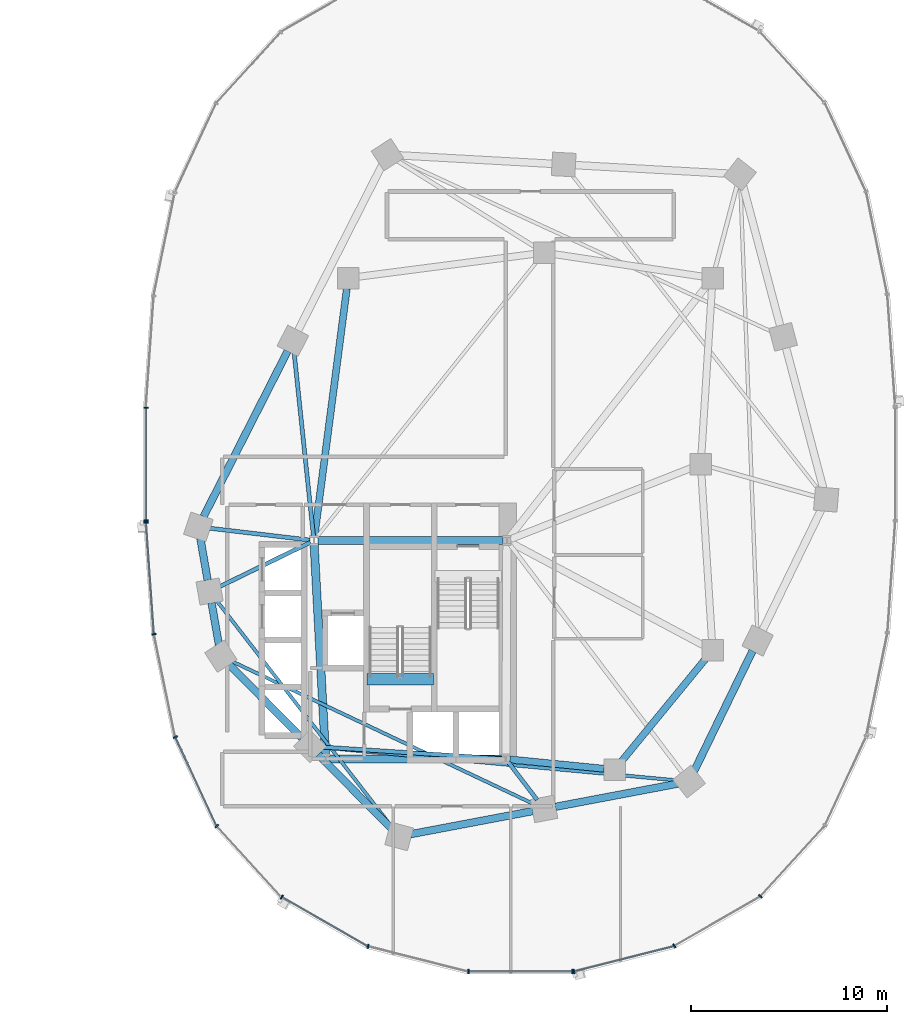
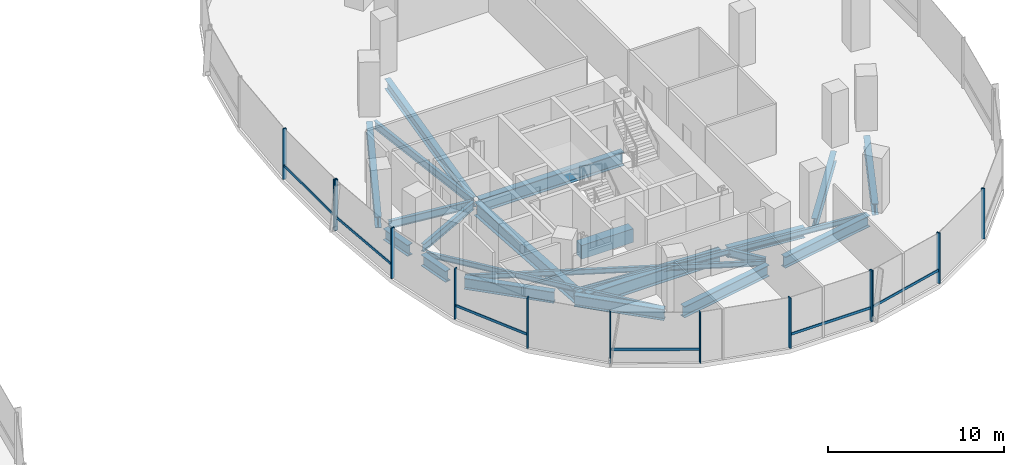
# One storey, part 5 of 21: 23 beams, 19 members, 3 elements without a shape of their own.
"""IFC4 building model written with IfcOpenShell, lengths in metres."""

from ifc_helpers import new_model, si_unit, direction, frame, origin, origin_2d, place, context, subcontext, project, spatial, rectangle, i_section, extrude, material, material_profile, profile_set, type_object, element, aggregate, save


model = new_model("IFC4")

# Units and contexts
model_context = context("Model", 3, precision=1e-05, world=origin(), true_north=direction((0.0, 1.0)))
body_context = subcontext(model_context, "Body", "Model", "MODEL_VIEW")
ifc_project = project(units=[si_unit("LENGTHUNIT", "METRE"), si_unit("AREAUNIT", "SQUARE_METRE"), si_unit("VOLUMEUNIT", "CUBIC_METRE"), si_unit("PLANEANGLEUNIT", "RADIAN"), si_unit("MASSUNIT", "GRAM", prefix="KILO"), si_unit("THERMODYNAMICTEMPERATUREUNIT", "KELVIN"), si_unit("POWERUNIT", "WATT")], contexts=[model_context])

# Site, building, storey
site_placement = place(None, origin())
site = spatial("IfcSite", under=ifc_project, at=site_placement, CompositionType="ELEMENT")
building_placement = place(site_placement, origin())
building = spatial("IfcBuilding", under=site, at=building_placement, Name="Cundina Bronze Exchange", CompositionType="ELEMENT")
storey_placement = place(building_placement, frame((0.0, 0.0, 69.60009765625)))
storey = spatial("IfcBuildingStorey", under=building, at=storey_placement, Name="L17", CompositionType="ELEMENT", Elevation=69.60009765625)

# Beams
ifc_material_1 = material(Name="Concrete C60/75", Category="concrete")
ifc_material_profile_1 = material_profile(ifc_material_1, rectangle(XDim=0.60009765625, YDim=0.949951171875, at=origin_2d()), Name="RC600X950", Category="concrete")
ifc_profile_set_1 = profile_set([ifc_material_profile_1], Name="Concrete C60/75")
beam_type_1 = type_object("IfcBeamType", Name="BM-COUP-RC950", PredefinedType="LINTEL", material=ifc_profile_set_1)
beam_1_placement = place(storey_placement, frame((24.159912109375, -10.97998046875, -0.47509765625), z_axis=(1.0, 0.0, 0.0), x_axis=(0.0, 1.0, 0.0)))
element("IfcBeam", 1, at=beam_1_placement, inside=storey, type_object=beam_type_1, Name="L17 Stair E2 Landing Header Beam", PredefinedType="LINTEL", context=body_context, shape_type="SweptSolid", body=[
    extrude(rectangle(XDim=0.60009765625, YDim=0.949951171875, at=origin_2d()), origin(), (0.0, 0.0, 1.0), 3.400146484375),
])
ifc_material_2 = material(Name="Steel ASTM A992 Grade 50", Category="steel")
ifc_material_profile_2 = material_profile(ifc_material_2, i_section(OverallWidth=0.2099609375, OverallDepth=0.532958984375, WebThickness=0.01025390625, FlangeThickness=0.015625, FilletRadius=0.013916015625, at=origin_2d()), Name="W21X62", Category="steel")
ifc_profile_set_2 = profile_set([ifc_material_profile_2], Name="Steel ASTM A992 Grade 50")
beam_type_2 = type_object("IfcBeamType", Name="BM-FLR-W21B", PredefinedType="BEAM", material=ifc_profile_set_2)
beam_2_placement = place(storey_placement, frame((21.247314453125, -3.8759765625, -0.566650390625), z_axis=(-0.993035236117, 0.117817739878, 0.0), x_axis=(-0.117817739878, -0.993035236117, 0.0)))
element("IfcBeam", 2, at=beam_2_placement, inside=storey, type_object=beam_type_2, Name="L17 Leg E Chordal Floor Beam 00", PredefinedType="BEAM", context=body_context, shape_type="SweptSolid", body=[
    extrude(i_section(OverallWidth=0.2099609375, OverallDepth=0.532958984375, WebThickness=0.01025390625, FlangeThickness=0.015625, FilletRadius=0.013916015625, at=origin_2d()), origin(), (0.0, 0.0, 1.0), 5.1494140625),
])
beam_3_placement = place(storey_placement, frame((21.2666015625, -3.989501953125, -0.566650390625), z_axis=(-0.898610249448, -0.438747785849, 0.0), x_axis=(0.438747785849, -0.898610249448, 0.0)))
element("IfcBeam", 3, at=beam_3_placement, inside=storey, type_object=beam_type_2, Name="L17 Leg E Chordal Floor Beam 01", PredefinedType="BEAM", context=body_context, shape_type="SweptSolid", body=[
    extrude(i_section(OverallWidth=0.2099609375, OverallDepth=0.532958984375, WebThickness=0.01025390625, FlangeThickness=0.015625, FilletRadius=0.013916015625, at=origin_2d()), origin(), (0.0, 0.0, 1.0), 5.1337890625),
])
beam_4_placement = place(storey_placement, frame((31.04638671875, -15.036865234375, -0.566650390625), z_axis=(-0.99789233798, 0.064891307594, 0.0), x_axis=(-0.064891307594, -0.99789233798, 0.0)))
element("IfcBeam", 4, at=beam_4_placement, inside=storey, type_object=beam_type_2, Name="L17 Leg E Chordal Floor Beam 03", PredefinedType="BEAM", context=body_context, shape_type="SweptSolid", body=[
    extrude(i_section(OverallWidth=0.2099609375, OverallDepth=0.532958984375, WebThickness=0.01025390625, FlangeThickness=0.015625, FilletRadius=0.013916015625, at=origin_2d()), origin(), (0.0, 0.0, 1.0), 9.22900390625),
])
beam_5_placement = place(storey_placement, frame((31.373779296875, -15.2119140625, -0.566650390625), z_axis=(0.607468844289, -0.794343504548, 0.0), x_axis=(0.794343504548, 0.607468844289, 0.0)))
element("IfcBeam", 5, at=beam_5_placement, inside=storey, type_object=beam_type_2, Name="L17 Leg E Chordal Floor Beam 05", PredefinedType="BEAM", context=body_context, shape_type="SweptSolid", body=[
    extrude(i_section(OverallWidth=0.2099609375, OverallDepth=0.532958984375, WebThickness=0.01025390625, FlangeThickness=0.015625, FilletRadius=0.013916015625, at=origin_2d()), origin(), (0.0, 0.0, 1.0), 2.418212890625),
])
beam_6_placement = place(storey_placement, frame((21.4287109375, -3.697021484375, -0.566650390625), z_axis=(-0.10483517787, 0.994489610544, 0.0), x_axis=(-0.994489610544, -0.10483517787, 0.0)))
element("IfcBeam", 6, at=beam_6_placement, inside=storey, type_object=beam_type_2, Name="L17 Leg E Chordal Floor Beam 13", PredefinedType="BEAM", context=body_context, shape_type="SweptSolid", body=[
    extrude(i_section(OverallWidth=0.2099609375, OverallDepth=0.532958984375, WebThickness=0.01025390625, FlangeThickness=0.015625, FilletRadius=0.013916015625, at=origin_2d()), origin(), (0.0, 0.0, 1.0), 9.46435546875),
])
ifc_material_profile_3 = material_profile(ifc_material_2, i_section(OverallWidth=0.172119140625, OverallDepth=0.35791015625, WebThickness=0.0078125, FlangeThickness=0.01318359375, FilletRadius=0.010009765625, at=origin_2d()), Name="W14X38", Category="steel")
ifc_profile_set_3 = profile_set([ifc_material_profile_3], Name="Steel ASTM A992 Grade 50")
beam_type_3 = type_object("IfcBeamType", Name="BM-JST-W14", PredefinedType="JOIST", material=ifc_profile_set_3)
beam_7_placement = place(storey_placement, frame((16.48486328125, -6.965087890625, -0.47900390625), z_axis=(0.612089386305, -0.790788583108, 0.0), x_axis=(0.790788583108, 0.612089386305, 0.0)))
element("IfcBeam", 7, at=beam_7_placement, inside=storey, type_object=beam_type_3, Name="L17 Leg E Lobe Floor Joist 01-04", PredefinedType="JOIST", context=body_context, shape_type="SweptSolid", body=[
    extrude(i_section(OverallWidth=0.172119140625, OverallDepth=0.35791015625, WebThickness=0.0078125, FlangeThickness=0.01318359375, FilletRadius=0.010009765625, at=origin_2d()), origin(), (0.0, 0.0, 1.0), 14.630859375),
])
beam_8_placement = place(storey_placement, frame((17.231689453125, -10.05126953125, -0.47900390625), z_axis=(0.904072668297, -0.427378766949, 0.0), x_axis=(0.427378766949, 0.904072668297, 0.0)))
element("IfcBeam", 8, at=beam_8_placement, inside=storey, type_object=beam_type_3, Name="L17 Leg E Lobe Floor Joist 02-05", PredefinedType="JOIST", context=body_context, shape_type="SweptSolid", body=[
    extrude(i_section(OverallWidth=0.172119140625, OverallDepth=0.35791015625, WebThickness=0.0078125, FlangeThickness=0.01318359375, FilletRadius=0.010009765625, at=origin_2d()), origin(), (0.0, 0.0, 1.0), 17.07470703125),
])
beam_9_placement = place(storey_placement, frame((21.83544921875, -14.45458984375, -0.47900390625), z_axis=(0.995701961644, -0.09261535282, 0.0), x_axis=(0.09261535282, 0.995701961644, 0.0)))
element("IfcBeam", 9, at=beam_9_placement, inside=storey, type_object=beam_type_3, Name="L17 Leg E Lobe Floor Joist 03-06", PredefinedType="JOIST", context=body_context, shape_type="SweptSolid", body=[
    extrude(i_section(OverallWidth=0.172119140625, OverallDepth=0.35791015625, WebThickness=0.0078125, FlangeThickness=0.01318359375, FilletRadius=0.010009765625, at=origin_2d()), origin(), (0.0, 0.0, 1.0), 18.25732421875),
])
ifc_material_profile_4 = material_profile(ifc_material_2, i_section(OverallWidth=0.35498046875, OverallDepth=0.695068359375, WebThickness=0.015380859375, FlangeThickness=0.02490234375, FilletRadius=0.01806640625, at=origin_2d()), Name="W27X146", Category="steel")
ifc_profile_set_4 = profile_set([ifc_material_profile_4], Name="Steel ASTM A992 Grade 50")
beam_type_4 = type_object("IfcBeamType", Name="BM-RING-W27", PredefinedType="USERDEFINED", material=ifc_profile_set_4)
beam_10_placement = place(storey_placement, frame((31.452880859375, -15.070068359375, -0.647705078125), z_axis=(0.995126271817, -0.098608839051, 0.0), x_axis=(0.098608839051, 0.995126271817, 0.0)))
element("IfcBeam", 10, at=beam_10_placement, inside=storey, type_object=beam_type_4, Name="L17 E Inner Structural Ring Girder 01", ObjectType="GIRDER", PredefinedType="USERDEFINED", context=body_context, shape_type="SweptSolid", body=[
    extrude(i_section(OverallWidth=0.35498046875, OverallDepth=0.695068359375, WebThickness=0.015380859375, FlangeThickness=0.02490234375, FilletRadius=0.01806640625, at=origin_2d()), origin(), (0.0, 0.0, 1.0), 4.83544921875),
])
beam_11_placement = place(storey_placement, frame((37.14111328125, -15.183837890625, -0.647705078125), z_axis=(0.633926549035, 0.773393257295, 0.0), x_axis=(-0.773393257295, 0.633926549035, 0.0)))
element("IfcBeam", 11, at=beam_11_placement, inside=storey, type_object=beam_type_4, Name="L17 E Inner Structural Ring Girder 02", ObjectType="GIRDER", PredefinedType="USERDEFINED", context=body_context, shape_type="SweptSolid", body=[
    extrude(i_section(OverallWidth=0.35498046875, OverallDepth=0.695068359375, WebThickness=0.015380859375, FlangeThickness=0.02490234375, FilletRadius=0.01806640625, at=origin_2d()), origin(), (0.0, 0.0, 1.0), 6.811279296875),
])
beam_12_placement = place(storey_placement, frame((23.13037109375, 8.966552734375, -0.647705078125), z_axis=(-0.129507526533, -0.99157843894, 0.0), x_axis=(0.99157843894, -0.129507526533, 0.0)))
element("IfcBeam", 12, at=beam_12_placement, inside=storey, type_object=beam_type_4, Name="L17 E Inner Structural Ring Girder 07", ObjectType="GIRDER", PredefinedType="USERDEFINED", context=body_context, shape_type="SweptSolid", body=[
    extrude(i_section(OverallWidth=0.35498046875, OverallDepth=0.695068359375, WebThickness=0.015380859375, FlangeThickness=0.02490234375, FilletRadius=0.01806640625, at=origin_2d()), origin(), (0.0, 0.0, 1.0), 12.77197265625),
])
ifc_material_profile_5 = material_profile(ifc_material_2, i_section(OverallWidth=0.381103515625, OverallDepth=0.77294921875, WebThickness=0.0166015625, FlangeThickness=0.027099609375, FilletRadius=0.01904296875, at=origin_2d()), Name="W30X173", Category="steel")
ifc_profile_set_5 = profile_set([ifc_material_profile_5], Name="Steel ASTM A992 Grade 50")
beam_type_5 = type_object("IfcBeamType", Name="BM-RING-W30", PredefinedType="USERDEFINED", material=ifc_profile_set_5)
for number, where, z_axis, x_axis, name in (
    (13, (15.65087890625, -3.779296875, -0.6865234375), (0.171734584051, -0.985143254883, 0.0), (0.985143254883, 0.171734584051, 0.0), "L17 E Perimeter Ring Girder 00"),
    (14, (16.225830078125, -7.079345703125, -0.6865234375), (0.171734584051, -0.985143254883, 0.0), (0.985143254883, 0.171734584051, 0.0), "L17 E Perimeter Ring Girder 01"),
):
    element("IfcBeam", number, at=place(storey_placement, frame(where, z_axis=z_axis, x_axis=x_axis)), inside=storey, type_object=beam_type_5, Name=name, ObjectType="GIRDER", PredefinedType="USERDEFINED", context=body_context, shape_type="SweptSolid", body=[
        extrude(i_section(OverallWidth=0.381103515625, OverallDepth=0.77294921875, WebThickness=0.0166015625, FlangeThickness=0.027099609375, FilletRadius=0.01904296875, at=origin_2d()), origin(), (0.0, 0.0, 1.0), 2.173583984375),
    ])
for number, where, z_axis, x_axis, name in (
    (15, (17.113525390625, -10.218017578125, -0.6865234375), (0.703222428859, -0.710969911845, 0.0), (0.710969911845, 0.703222428859, 0.0), "L17 E Perimeter Ring Girder 02"),
    (16, (21.66357421875, -14.818115234375, -0.6865234375), (0.703222428859, -0.710969911845, 0.0), (0.710969911845, 0.703222428859, 0.0), "L17 E Perimeter Ring Girder 03"),
):
    element("IfcBeam", number, at=place(storey_placement, frame(where, z_axis=z_axis, x_axis=x_axis)), inside=storey, type_object=beam_type_5, Name=name, ObjectType="GIRDER", PredefinedType="USERDEFINED", context=body_context, shape_type="SweptSolid", body=[
        extrude(i_section(OverallWidth=0.381103515625, OverallDepth=0.77294921875, WebThickness=0.0166015625, FlangeThickness=0.027099609375, FilletRadius=0.01904296875, at=origin_2d()), origin(), (0.0, 0.0, 1.0), 5.2939453125),
    ])
beam_13_placement = place(storey_placement, frame((26.377685546875, -18.890625, -0.6865234375), z_axis=(0.982570814598, 0.185888661031, 0.0), x_axis=(-0.185888661031, 0.982570814598, 0.0)))
element("IfcBeam", 17, at=beam_13_placement, inside=storey, type_object=beam_type_5, Name="L17 E Perimeter Ring Girder 04", ObjectType="GIRDER", PredefinedType="USERDEFINED", context=body_context, shape_type="SweptSolid", body=[
    extrude(i_section(OverallWidth=0.381103515625, OverallDepth=0.77294921875, WebThickness=0.0166015625, FlangeThickness=0.027099609375, FilletRadius=0.01904296875, at=origin_2d()), origin(), (0.0, 0.0, 1.0), 6.35546875),
])
beam_14_placement = place(storey_placement, frame((33.77783203125, -17.49072265625, -0.6865234375), z_axis=(0.982569487119, 0.185895677686, 0.0), x_axis=(-0.185895677686, 0.982569487119, 0.0)))
element("IfcBeam", 18, at=beam_14_placement, inside=storey, type_object=beam_type_5, Name="L17 E Perimeter Ring Girder 05", ObjectType="GIRDER", PredefinedType="USERDEFINED", context=body_context, shape_type="SweptSolid", body=[
    extrude(i_section(OverallWidth=0.381103515625, OverallDepth=0.77294921875, WebThickness=0.0166015625, FlangeThickness=0.027099609375, FilletRadius=0.01904296875, at=origin_2d()), origin(), (0.0, 0.0, 1.0), 6.355224609375),
])
beam_15_placement = place(storey_placement, frame((40.857177734375, -15.671142578125, -0.6865234375), z_axis=(0.437190698904, 0.899368830231, 0.0), x_axis=(-0.899368830231, 0.437190698904, 0.0)))
element("IfcBeam", 19, at=beam_15_placement, inside=storey, type_object=beam_type_5, Name="L17 E Perimeter Ring Girder 06", ObjectType="GIRDER", PredefinedType="USERDEFINED", context=body_context, shape_type="SweptSolid", body=[
    extrude(i_section(OverallWidth=0.381103515625, OverallDepth=0.77294921875, WebThickness=0.0166015625, FlangeThickness=0.027099609375, FilletRadius=0.01904296875, at=origin_2d()), origin(), (0.0, 0.0, 1.0), 6.82958984375),
])
beam_16_placement = place(storey_placement, frame((20.108642578125, 5.775634765625, -0.6865234375), z_axis=(-0.452819633606, -0.891602141889, 0.0), x_axis=(0.891602141889, -0.452819633606, 0.0)))
element("IfcBeam", 20, at=beam_16_placement, inside=storey, type_object=beam_type_5, Name="L17 E Perimeter Ring Girder 13", ObjectType="GIRDER", PredefinedType="USERDEFINED", context=body_context, shape_type="SweptSolid", body=[
    extrude(i_section(OverallWidth=0.381103515625, OverallDepth=0.77294921875, WebThickness=0.0166015625, FlangeThickness=0.027099609375, FilletRadius=0.01904296875, at=origin_2d()), origin(), (0.0, 0.0, 1.0), 9.47900390625),
])
ifc_material_profile_6 = material_profile(ifc_material_2, i_section(OverallWidth=0.41796875, OverallDepth=0.927001953125, WebThickness=0.019287109375, FlangeThickness=0.031982421875, FilletRadius=0.02392578125, at=origin_2d()), Name="W36X231", Category="steel")
ifc_profile_set_6 = profile_set([ifc_material_profile_6], Name="Steel ASTM A992 Grade 50")
beam_type_6 = type_object("IfcBeamType", Name="BM-WRN-W36B", PredefinedType="USERDEFINED", material=ifc_profile_set_6)
beam_17_placement = place(storey_placement, frame((31.095947265625, -3.89990234375, -0.763671875), z_axis=(-1.0, 0.0, 0.0), x_axis=(0.0, -1.0, 0.0)))
element("IfcBeam", 21, at=beam_17_placement, inside=storey, type_object=beam_type_6, Name="L17 E Core Perimeter Tie Girder 1", ObjectType="GIRDER", PredefinedType="USERDEFINED", context=body_context, shape_type="SweptSolid", body=[
    extrude(i_section(OverallWidth=0.41796875, OverallDepth=0.927001953125, WebThickness=0.019287109375, FlangeThickness=0.031982421875, FilletRadius=0.02392578125, at=origin_2d()), origin(), (0.0, 0.0, 1.0), 9.44189453125),
])
beam_18_placement = place(storey_placement, frame((21.4609375, -4.103759765625, -0.763671875), z_axis=(0.053739193498, -0.998555005537, 0.0), x_axis=(0.998555005537, 0.053739193498, 0.0)))
element("IfcBeam", 22, at=beam_18_placement, inside=storey, type_object=beam_type_6, Name="L17 E Core Perimeter Tie Girder 2", ObjectType="GIRDER", PredefinedType="USERDEFINED", context=body_context, shape_type="SweptSolid", body=[
    extrude(i_section(OverallWidth=0.41796875, OverallDepth=0.927001953125, WebThickness=0.019287109375, FlangeThickness=0.031982421875, FilletRadius=0.02392578125, at=origin_2d()), origin(), (0.0, 0.0, 1.0), 10.758056640625),
])
beam_19_placement = place(storey_placement, frame((22.25390625, -15.050048828125, -0.763671875), z_axis=(1.0, 0.0, 0.0), x_axis=(0.0, 1.0, 0.0)))
element("IfcBeam", 23, at=beam_19_placement, inside=storey, type_object=beam_type_6, Name="L17 E Core Perimeter Tie Girder 3", ObjectType="GIRDER", PredefinedType="USERDEFINED", context=body_context, shape_type="SweptSolid", body=[
    extrude(i_section(OverallWidth=0.41796875, OverallDepth=0.927001953125, WebThickness=0.019287109375, FlangeThickness=0.031982421875, FilletRadius=0.02392578125, at=origin_2d()), origin(), (0.0, 0.0, 1.0), 8.7919921875),
])

# Curtain wall, members
ifc_material_3 = material(Name="Anodised Bronze Aluminium 6063-T6", Category="aluminium")
curtain_wall_type = type_object("IfcCurtainWallType", Name="CWS-TRD-LOW", PredefinedType="NOTDEFINED", material=ifc_material_3)
curtain_wall_1_placement = place(storey_placement, origin())
curtain_wall_1 = element("IfcCurtainWall", 24, at=curtain_wall_1_placement, inside=storey, type_object=curtain_wall_type, Name="L17 CW-02 Curtain Wall Run CWR-L17-E2", PredefinedType="NOTDEFINED")
ifc_material_profile_7 = material_profile(ifc_material_3, rectangle(XDim=0.074951171875, YDim=0.219970703125, at=origin_2d()), Name="AL75X220", Category="aluminium")
ifc_profile_set_7 = profile_set([ifc_material_profile_7], Name="Anodised Bronze Aluminium 6063-T6")
member_type_1 = type_object("IfcMemberType", Name="CWM-MUL-220", PredefinedType="MULLION", material=ifc_profile_set_7)
member_1_placement = place(storey_placement, frame((12.8720703125, 2.880615234375, 0.0), z_axis=(0.0, 0.0, 1.0), x_axis=(0.0, -1.0, 0.0)))
member_1 = element("IfcMember", 25, at=member_1_placement, type_object=member_type_1, Name="CW-02 Mullion 7", PredefinedType="MULLION", context=body_context, shape_type="SweptSolid", body=[
    extrude(rectangle(XDim=0.074951171875, YDim=0.219970703125, at=origin_2d()), origin(), (0.0, 0.0, 1.0), 3.5),
])
member_2_placement = place(storey_placement, frame((12.8720703125, -2.880615234375, 0.0), z_axis=(0.0, 0.0, 1.0), x_axis=(0.0, -1.0, 0.0)))
member_2 = element("IfcMember", 26, at=member_2_placement, type_object=member_type_1, Name="CW-02 End Mullion", PredefinedType="MULLION", context=body_context, shape_type="SweptSolid", body=[
    extrude(rectangle(XDim=0.074951171875, YDim=0.219970703125, at=origin_2d()), origin(), (0.0, 0.0, 1.0), 3.5),
])

curtain_wall_2_placement = place(storey_placement, origin())
curtain_wall_2 = element("IfcCurtainWall", 27, at=curtain_wall_2_placement, inside=storey, type_object=curtain_wall_type, Name="L17 CW-02 Curtain Wall Run CWR-L17-E3", PredefinedType="NOTDEFINED")
member_3_placement = place(storey_placement, frame((12.87548828125, -2.976318359375, 0.0), z_axis=(0.0, 0.0, 1.0), x_axis=(0.070278787473, -0.997527389113, 0.0)))
member_3 = element("IfcMember", 28, at=member_3_placement, type_object=member_type_1, Name="CW-02 Mullion 1", PredefinedType="MULLION", context=body_context, shape_type="SweptSolid", body=[
    extrude(rectangle(XDim=0.074951171875, YDim=0.219970703125, at=origin_2d()), origin(), (0.0, 0.0, 1.0), 3.5),
])
member_4_placement = place(storey_placement, frame((13.282958984375, -8.67822265625, 0.0), z_axis=(0.0, 0.0, 1.0), x_axis=(0.201419845156, -0.979505000486, 0.0)))
member_4 = element("IfcMember", 29, at=member_4_placement, type_object=member_type_1, Name="CW-02 Mullion 2", PredefinedType="MULLION", context=body_context, shape_type="SweptSolid", body=[
    extrude(rectangle(XDim=0.074951171875, YDim=0.219970703125, at=origin_2d()), origin(), (0.0, 0.0, 1.0), 3.5),
])
member_5_placement = place(storey_placement, frame((14.3720703125, -13.931884765625, 0.0), z_axis=(0.0, 0.0, 1.0), x_axis=(0.42087749791, -0.907117485088, 0.0)))
member_5 = element("IfcMember", 30, at=member_5_placement, type_object=member_type_1, Name="CW-02 Mullion 3", PredefinedType="MULLION", context=body_context, shape_type="SweptSolid", body=[
    extrude(rectangle(XDim=0.074951171875, YDim=0.219970703125, at=origin_2d()), origin(), (0.0, 0.0, 1.0), 3.5),
])
member_6_placement = place(storey_placement, frame((16.491455078125, -18.47705078125, 0.0), z_axis=(0.0, 0.0, 1.0), x_axis=(0.674302387584, -0.738455340626, 0.0)))
member_6 = element("IfcMember", 31, at=member_6_placement, type_object=member_type_1, Name="CW-02 Mullion 4", PredefinedType="MULLION", context=body_context, shape_type="SweptSolid", body=[
    extrude(rectangle(XDim=0.074951171875, YDim=0.219970703125, at=origin_2d()), origin(), (0.0, 0.0, 1.0), 3.5),
])
member_7_placement = place(storey_placement, frame((19.810302734375, -22.097412109375, 0.0), z_axis=(0.0, 0.0, 1.0), x_axis=(0.867070701164, -0.498185105339, 0.0)))
member_7 = element("IfcMember", 32, at=member_7_placement, type_object=member_type_1, Name="CW-02 Mullion 5", PredefinedType="MULLION", context=body_context, shape_type="SweptSolid", body=[
    extrude(rectangle(XDim=0.074951171875, YDim=0.219970703125, at=origin_2d()), origin(), (0.0, 0.0, 1.0), 3.5),
])
member_8_placement = place(storey_placement, frame((24.21484375, -24.61669921875, 0.0), z_axis=(0.0, 0.0, 1.0), x_axis=(0.969488149345, -0.245138182011, 0.0)))
member_8 = element("IfcMember", 33, at=member_8_placement, type_object=member_type_1, Name="CW-02 Mullion 6", PredefinedType="MULLION", context=body_context, shape_type="SweptSolid", body=[
    extrude(rectangle(XDim=0.074951171875, YDim=0.219970703125, at=origin_2d()), origin(), (0.0, 0.0, 1.0), 3.5),
])
member_9_placement = place(storey_placement, frame((29.345458984375, -25.905029296875, 0.0), z_axis=(0.0, 0.0, 1.0), x_axis=(1.0, 0.0, 0.0)))
member_9 = element("IfcMember", 34, at=member_9_placement, type_object=member_type_1, Name="CW-02 Mullion 7", PredefinedType="MULLION", context=body_context, shape_type="SweptSolid", body=[
    extrude(rectangle(XDim=0.074951171875, YDim=0.219970703125, at=origin_2d()), origin(), (0.0, 0.0, 1.0), 3.5),
])
member_10_placement = place(storey_placement, frame((34.654541015625, -25.905029296875, 0.0), z_axis=(0.0, 0.0, 1.0), x_axis=(1.0, 0.0, 0.0)))
member_10 = element("IfcMember", 35, at=member_10_placement, type_object=member_type_1, Name="CW-02 End Mullion", PredefinedType="MULLION", context=body_context, shape_type="SweptSolid", body=[
    extrude(rectangle(XDim=0.074951171875, YDim=0.219970703125, at=origin_2d()), origin(), (0.0, 0.0, 1.0), 3.5),
])

curtain_wall_3_placement = place(storey_placement, origin())
curtain_wall_3 = element("IfcCurtainWall", 36, at=curtain_wall_3_placement, inside=storey, type_object=curtain_wall_type, Name="L17 CW-02 Curtain Wall Run CWR-L17-E4", PredefinedType="NOTDEFINED")
member_11_placement = place(storey_placement, frame((34.72607421875, -25.89599609375, 0.0), z_axis=(0.0, 0.0, 1.0), x_axis=(0.969488149345, 0.245138182011, 0.0)))
member_11 = element("IfcMember", 37, at=member_11_placement, type_object=member_type_1, Name="CW-02 Mullion 1", PredefinedType="MULLION", context=body_context, shape_type="SweptSolid", body=[
    extrude(rectangle(XDim=0.074951171875, YDim=0.219970703125, at=origin_2d()), origin(), (0.0, 0.0, 1.0), 3.5),
])
member_12_placement = place(storey_placement, frame((39.848876953125, -24.591064453125, 0.0), z_axis=(0.0, 0.0, 1.0), x_axis=(0.867070701164, 0.498185105339, 0.0)))
member_12 = element("IfcMember", 38, at=member_12_placement, type_object=member_type_1, Name="CW-02 Mullion 2", PredefinedType="MULLION", context=body_context, shape_type="SweptSolid", body=[
    extrude(rectangle(XDim=0.074951171875, YDim=0.219970703125, at=origin_2d()), origin(), (0.0, 0.0, 1.0), 3.5),
])
member_13_placement = place(storey_placement, frame((44.239501953125, -22.0576171875, 0.0), z_axis=(0.0, 0.0, 1.0), x_axis=(0.674302387584, 0.738455340626, 0.0)))
member_13 = element("IfcMember", 39, at=member_13_placement, type_object=member_type_1, Name="CW-02 Mullion 3", PredefinedType="MULLION", context=body_context, shape_type="SweptSolid", body=[
    extrude(rectangle(XDim=0.074951171875, YDim=0.219970703125, at=origin_2d()), origin(), (0.0, 0.0, 1.0), 3.5),
])

# Member
ifc_material_profile_8 = material_profile(ifc_material_3, rectangle(XDim=0.070068359375, YDim=0.179931640625, at=origin_2d()), Name="AL70X180", Category="aluminium")
ifc_profile_set_8 = profile_set([ifc_material_profile_8], Name="Anodised Bronze Aluminium 6063-T6")
member_type_2 = type_object("IfcMemberType", Name="CWM-TRN-180", PredefinedType="USERDEFINED", material=ifc_profile_set_8)
member_14_placement = place(storey_placement, frame((12.8720703125, 2.839111328125, 0.919921875), z_axis=(0.0, -1.0, 0.0), x_axis=(1.0, 0.0, 0.0)))
member_14 = element("IfcMember", 40, at=member_14_placement, type_object=member_type_2, Name="CW-02 Spandrel Transom 7", ObjectType="TRANSOM", PredefinedType="USERDEFINED", context=body_context, shape_type="SweptSolid", body=[
    extrude(rectangle(XDim=0.070068359375, YDim=0.179931640625, at=origin_2d()), origin(), (0.0, 0.0, 1.0), 5.67822265625),
])

aggregate(curtain_wall_1, [member_1, member_2, member_14])

member_15_placement = place(storey_placement, frame((12.87841796875, -3.017333984375, 0.919921875), z_axis=(0.070260714471, -0.997528662246, 0.0), x_axis=(0.997528662246, 0.070260714471, 0.0)))
member_15 = element("IfcMember", 41, at=member_15_placement, type_object=member_type_2, Name="CW-02 Spandrel Transom 1", ObjectType="TRANSOM", PredefinedType="USERDEFINED", context=body_context, shape_type="SweptSolid", body=[
    extrude(rectangle(XDim=0.070068359375, YDim=0.179931640625, at=origin_2d()), origin(), (0.0, 0.0, 1.0), 5.629150390625),
])

member_16_placement = place(storey_placement, frame((14.389404296875, -13.96923828125, 0.919921875), z_axis=(0.420811422796, -0.907148139195, 0.0), x_axis=(0.907148139195, 0.420811422796, 0.0)))
member_16 = element("IfcMember", 42, at=member_16_placement, type_object=member_type_2, Name="CW-02 Spandrel Transom 3", ObjectType="TRANSOM", PredefinedType="USERDEFINED", context=body_context, shape_type="SweptSolid", body=[
    extrude(rectangle(XDim=0.070068359375, YDim=0.179931640625, at=origin_2d()), origin(), (0.0, 0.0, 1.0), 4.95166015625),
])

member_17_placement = place(storey_placement, frame((19.845947265625, -22.117919921875, 0.919921875), z_axis=(0.867097475651, -0.498138502546, 0.0), x_axis=(0.498138502546, 0.867097475651, 0.0)))
member_17 = element("IfcMember", 43, at=member_17_placement, type_object=member_type_2, Name="CW-02 Spandrel Transom 5", ObjectType="TRANSOM", PredefinedType="USERDEFINED", context=body_context, shape_type="SweptSolid", body=[
    extrude(rectangle(XDim=0.070068359375, YDim=0.179931640625, at=origin_2d()), origin(), (0.0, 0.0, 1.0), 5.00634765625),
])

member_18_placement = place(storey_placement, frame((29.38671875, -25.905029296875, 0.919921875), z_axis=(1.0, 0.0, 0.0), x_axis=(0.0, 1.0, 0.0)))
member_18 = element("IfcMember", 44, at=member_18_placement, type_object=member_type_2, Name="CW-02 Spandrel Transom 7", ObjectType="TRANSOM", PredefinedType="USERDEFINED", context=body_context, shape_type="SweptSolid", body=[
    extrude(rectangle(XDim=0.070068359375, YDim=0.179931640625, at=origin_2d()), origin(), (0.0, 0.0, 1.0), 5.2265625),
])

aggregate(curtain_wall_2, [member_3, member_15, member_4, member_5, member_16, member_6, member_7, member_17, member_8, member_9, member_10, member_18])

member_19_placement = place(storey_placement, frame((34.76611328125, -25.885986328125, 0.919921875), z_axis=(0.969483968866, 0.245154714644, 0.0), x_axis=(-0.245154714644, 0.969483968866, 0.0)))
member_19 = element("IfcMember", 45, at=member_19_placement, type_object=member_type_2, Name="CW-02 Spandrel Transom 1", ObjectType="TRANSOM", PredefinedType="USERDEFINED", context=body_context, shape_type="SweptSolid", body=[
    extrude(rectangle(XDim=0.070068359375, YDim=0.179931640625, at=origin_2d()), origin(), (0.0, 0.0, 1.0), 5.21826171875),
])

aggregate(curtain_wall_3, [member_11, member_19, member_12, member_13])

save(model, "model.ifc")
